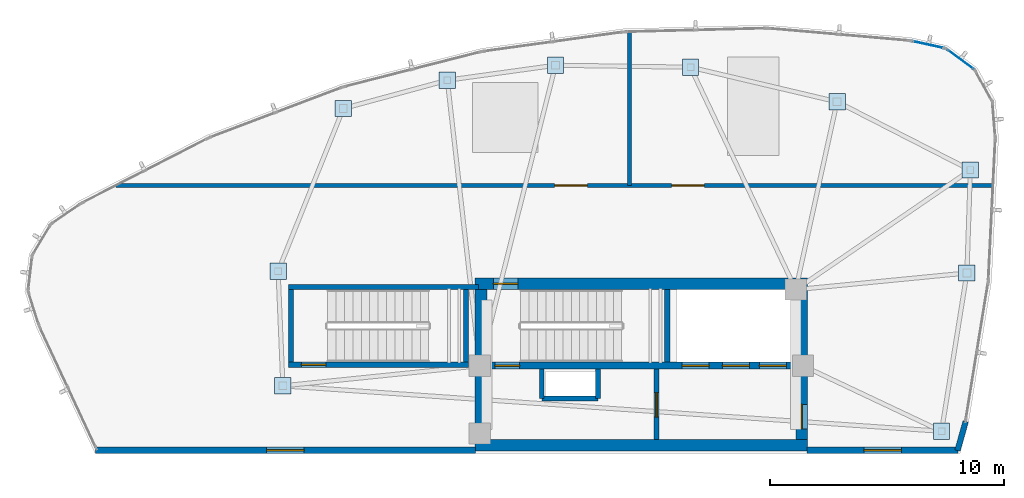
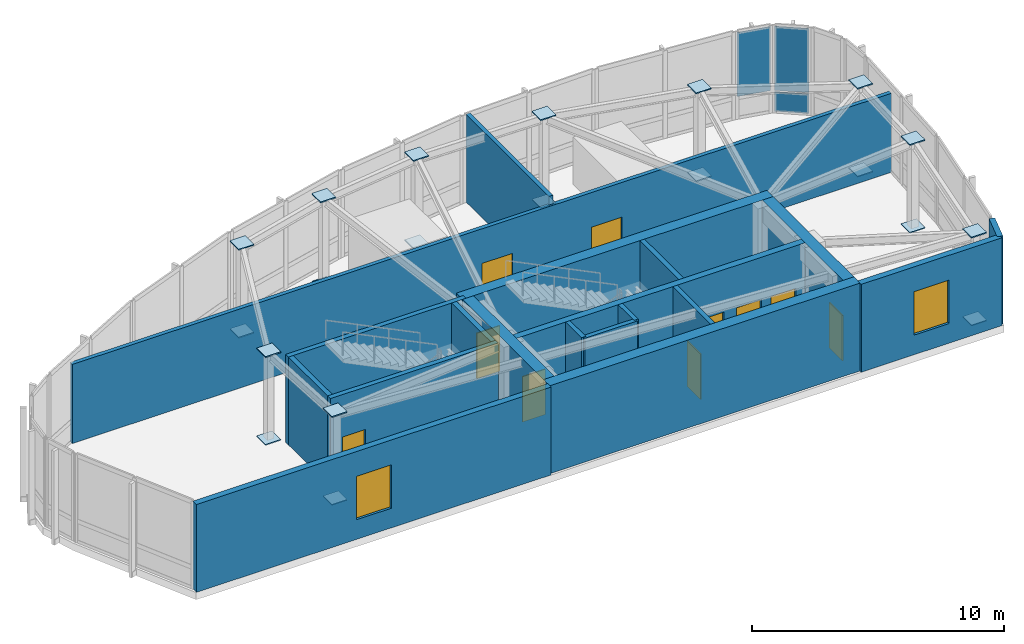
# One storey, part 6 of 10: 23 plates, 19 walls, 10 doors, 2 windows, 12 openings, 2 elements without a shape of their own.
"""IFC4 building model written with IfcOpenShell, lengths in metres."""

from ifc_helpers import new_model, si_unit, direction, frame, frame_2d, origin, origin_2d, place, context, subcontext, project, spatial, rectangle, extrude, source, transform, mapped, material, layer, layer_set, type_object, type_shapes, element, fill, aggregate, save


model = new_model("IFC4")

# Units and contexts
model_context = context("Model", 3, precision=1e-05, world=origin(), true_north=direction((0.0, 1.0)))
body_context = subcontext(model_context, "Body", "Model", "MODEL_VIEW")
ifc_project = project(units=[si_unit("LENGTHUNIT", "METRE"), si_unit("AREAUNIT", "SQUARE_METRE"), si_unit("VOLUMEUNIT", "CUBIC_METRE"), si_unit("PLANEANGLEUNIT", "RADIAN"), si_unit("MASSUNIT", "GRAM", prefix="KILO")], contexts=[model_context])

# Site, building, storey
site_placement = place(None, origin())
site = spatial("IfcSite", under=ifc_project, at=site_placement, CompositionType="ELEMENT")
building_placement = place(site_placement, origin())
building = spatial("IfcBuilding", under=site, at=building_placement, Name="Tavelor Broadcast Tower", CompositionType="ELEMENT")
storey_placement = place(building_placement, frame((0.0, 0.0, 350.5)))
storey = spatial("IfcBuildingStorey", under=building, at=storey_placement, Name="L83", CompositionType="ELEMENT", Elevation=350.5)

# Plates
ifc_material_1 = material(Name="Steel S460", Category="steel")
ifc_layer_1 = layer(ifc_material_1, 0.050048828125)
ifc_layer_set_1 = layer_set([ifc_layer_1], Name="Steel S460")
plate_type_1 = type_object("IfcPlateType", Name="Tube Hollow-End Cap Plate KN05 700x700x50", PredefinedType="USERDEFINED", material=ifc_layer_set_1)
shared_shape_1 = source(origin(), body_context, "Body", "SweptSolid", [
    extrude(rectangle(XDim=0.699951171875, YDim=0.699951171875, at=origin_2d()), origin(), (0.0, 0.0, 1.0), 0.054931640625),
])
type_shapes(plate_type_1, [shared_shape_1])
for number, where, z_axis, x_axis, name in (
    (1, (37.27294921875, 58.9375, -0.02734375), (0.0, 0.0, 1.0), (1.0, 0.0, 0.0), "L83 Hollow End Cap Plate KN05 #2523"),
    (2, (37.27294921875, 58.9375, 4.22265625), (0.0, 0.0, 1.0), (1.0, 0.0, 0.0), "L83 Hollow End Cap Plate KN05 #2524"),
    (3, (34.4853515625, 51.989013671875, -0.02734375), (0.0, 0.0, 1.0), (1.0, 0.0, 0.0), "L83 Hollow End Cap Plate KN05 #2525"),
    (4, (34.4853515625, 51.989013671875, 4.22265625), (0.0, 0.0, 1.0), (1.0, 0.0, 0.0), "L83 Hollow End Cap Plate KN05 #2526"),
    (5, (34.690673828125, 47.090087890625, -0.02734375), (0.0, 0.0, 1.0), (1.0, 0.0, 0.0), "L83 Hollow End Cap Plate KN05 #2527"),
    (6, (34.690673828125, 47.090087890625, 4.22265625), (0.0, 0.0, 1.0), (1.0, 0.0, 0.0), "L83 Hollow End Cap Plate KN05 #2528"),
    (7, (62.826416015625, 45.14990234375, -0.02734375), (0.0, 0.0, 1.0), (1.0, 0.0, 0.0), "L83 Hollow End Cap Plate KN05 #2529"),
    (8, (62.826416015625, 45.14990234375, 4.22265625), (0.0, 0.0, 1.0), (1.0, 0.0, 0.0), "L83 Hollow End Cap Plate KN05 #2530"),
    (9, (63.910888671875, 51.91064453125, -0.02734375), (0.0, 0.0, 1.0), (1.0, 0.0, 0.0), "L83 Hollow End Cap Plate KN05 #2531"),
    (10, (63.910888671875, 51.91064453125, 4.22265625), (0.0, 0.0, 1.0), (1.0, 0.0, 0.0), "L83 Hollow End Cap Plate KN05 #2532"),
    (11, (64.058349609375, 56.30859375, -0.02734375), (0.0, 0.0, 1.0), (1.0, 0.0, 0.0), "L83 Hollow End Cap Plate KN05 #2533"),
    (12, (64.058349609375, 56.30859375, 4.22265625), (0.0, 0.0, 1.0), (1.0, 0.0, 0.0), "L83 Hollow End Cap Plate KN05 #2534"),
    (13, (58.364013671875, 59.226318359375, -0.02734375), (0.0, 0.0, 1.0), (1.0, 0.0, 0.0), "L83 Hollow End Cap Plate KN05 #2535"),
    (14, (58.364013671875, 59.226318359375, 4.22265625), (0.0, 0.0, 1.0), (1.0, 0.0, 0.0), "L83 Hollow End Cap Plate KN05 #2536"),
    (15, (52.10400390625, 60.701416015625, -0.02734375), (0.0, 0.0, 1.0), (1.0, 0.0, 0.0), "L83 Hollow End Cap Plate KN05 #2537"),
    (16, (52.10400390625, 60.701416015625, 4.22265625), (0.0, 0.0, 1.0), (1.0, 0.0, 0.0), "L83 Hollow End Cap Plate KN05 #2538"),
    (17, (46.337158203125, 60.786865234375, -0.02734375), (0.0, 0.0, 1.0), (1.0, 0.0, 0.0), "L83 Hollow End Cap Plate KN05 #2539"),
    (18, (46.337158203125, 60.786865234375, 4.22265625), (0.0, 0.0, 1.0), (1.0, 0.0, 0.0), "L83 Hollow End Cap Plate KN05 #2540"),
    (19, (41.715087890625, 60.145751953125, -0.02734375), (0.0, 0.0, 1.0), (1.0, 0.0, 0.0), "L83 Hollow End Cap Plate KN05 #2541"),
    (20, (41.715087890625, 60.145751953125, 4.22265625), (0.0, 0.0, 1.0), (1.0, 0.0, 0.0), "L83 Hollow End Cap Plate KN05 #2542"),
):
    element("IfcPlate", number, at=place(storey_placement, frame(where, z_axis=z_axis, x_axis=x_axis)), inside=storey, type_object=plate_type_1, Name=name, ObjectType="CAP PLATE", PredefinedType="USERDEFINED", context=body_context, shape_type="MappedRepresentation", body=[
        mapped(shared_shape_1, transform((0.0, 0.0, 0.0), scale=1.0)),
    ])

# Curtain wall, plate
ifc_material_2 = material(Name="Architectural Anodized Aluminium", Category="aluminium")
ifc_layer_2 = layer(ifc_material_2, 0.2099609375)
ifc_layer_set_2 = layer_set([ifc_layer_2], Name="Architectural Anodized Aluminium")
curtain_wall_type = type_object("IfcCurtainWallType", Name="Split-Crown Beacon Curtain Wall CW06", PredefinedType="NOTDEFINED", material=ifc_layer_set_2)
curtain_wall_1_placement = place(storey_placement, origin())
curtain_wall_1 = element("IfcCurtainWall", 21, at=curtain_wall_1_placement, inside=storey, type_object=curtain_wall_type, Name="L83 Curtain Wall CW06 Run 977", PredefinedType="NOTDEFINED")
ifc_material_3 = material(Name="Dichroic Solar Laminated Glazing 34 mm", Category="glass")
ifc_layer_3 = layer(ifc_material_3, 0.033935546875)
ifc_layer_set_3 = layer_set([ifc_layer_3], Name="Dichroic Solar Laminated Glazing 34 mm")
plate_type_2 = type_object("IfcPlateType", Name="CW06 Insulated Vision Glazing Panel 34 mm", PredefinedType="CURTAIN_PANEL", material=ifc_layer_set_3)
shared_shape_2 = source(origin(), body_context, "Body", "SweptSolid", [
    extrude(rectangle(XDim=1.38720703125, YDim=0.033935546875, at=origin_2d()), origin(), (0.0, 0.0, 1.0), 3.092041015625),
])
plate_1_placement = place(storey_placement, frame((62.25732421875, 61.66455078125, 1.0859375), z_axis=(0.0, 0.0, 1.0), x_axis=(-0.97646899035, 0.215657856069, 0.0)))
plate_1 = element("IfcPlate", 22, at=plate_1_placement, type_object=plate_type_2, Name="CW06 panel 1.2", PredefinedType="CURTAIN_PANEL", context=body_context, shape_type="MappedRepresentation", body=[
    mapped(shared_shape_2, transform((0.0, 0.0, 0.0), scale=1.0)),
])
aggregate(curtain_wall_1, [plate_1])

# Curtain wall, plates
curtain_wall_2_placement = place(storey_placement, origin())
curtain_wall_2 = element("IfcCurtainWall", 23, at=curtain_wall_2_placement, inside=storey, type_object=curtain_wall_type, Name="L83 Curtain Wall CW06 Run 976", PredefinedType="NOTDEFINED")
shared_shape_3 = source(origin(), body_context, "Body", "SweptSolid", [
    extrude(rectangle(XDim=1.3662109375, YDim=0.033935546875, at=origin_2d()), origin(), (0.0, 0.0, 1.0), 0.94189453125),
])
plate_2_placement = place(storey_placement, frame((63.636474609375, 61.035400390625, 0.072021484375), z_axis=(0.0, 0.0, 1.0), x_axis=(-0.801261599102, 0.598314173161, 0.0)))
plate_2 = element("IfcPlate", 24, at=plate_2_placement, type_object=plate_type_2, Name="CW06 panel 1.1", PredefinedType="CURTAIN_PANEL", context=body_context, shape_type="MappedRepresentation", body=[
    mapped(shared_shape_3, transform((0.0, 0.0, 0.0), scale=1.0)),
])
shared_shape_4 = source(origin(), body_context, "Body", "SweptSolid", [
    extrude(rectangle(XDim=1.3662109375, YDim=0.033935546875, at=origin_2d()), origin(), (0.0, 0.0, 1.0), 3.092041015625),
])
type_shapes(plate_type_2, [shared_shape_2, shared_shape_3, shared_shape_4])
plate_3_placement = place(storey_placement, frame((63.636474609375, 61.035400390625, 1.0859375), z_axis=(0.0, 0.0, 1.0), x_axis=(-0.801261599102, 0.598314173161, 0.0)))
plate_3 = element("IfcPlate", 25, at=plate_3_placement, type_object=plate_type_2, Name="CW06 panel 1.2", PredefinedType="CURTAIN_PANEL", context=body_context, shape_type="MappedRepresentation", body=[
    mapped(shared_shape_4, transform((0.0, 0.0, 0.0), scale=1.0)),
])
aggregate(curtain_wall_2, [plate_2, plate_3])

# Wall, opening, door
ifc_material_4 = material(Name="Concrete C50/60", Category="concrete")
ifc_layer_4 = layer(ifc_material_4, 0.5)
ifc_layer_set_4 = layer_set([ifc_layer_4], Name="Concrete C50/60")
wall_type_1 = type_object("IfcWallType", Name="Core Shear Wall 500 mm", PredefinedType="SHEAR", material=ifc_layer_set_4)
wall_1_placement = place(storey_placement, frame((42.89990234375, 51.449951171875, 0.0), z_axis=(0.0, 0.0, 1.0), x_axis=(1.0, 0.0, 0.0)))
wall_1 = element("IfcWall", 26, at=wall_1_placement, inside=storey, type_object=wall_type_1, Name="L83 Central Core Shear Wall N", PredefinedType="SHEAR", context=body_context, shape_type="SweptSolid", body=[
    extrude(rectangle(XDim=14.2001953125, YDim=0.5, at=frame_2d((7.10009765625, 0.0))), origin(), (0.0, 0.0, 1.0), 4.25),
])
opening_1_placement = place(wall_1_placement, frame((0.780029296875, 0.0, 0.0)))
opening_1 = element("IfcOpeningElement", 27, at=opening_1_placement, cuts=wall_1, Name="Opening DR11", PredefinedType="OPENING", context=body_context, shape_type="SweptSolid", body=[
    extrude(rectangle(XDim=1.050048828125, YDim=2.199951171875, at=frame_2d((0.52490234375, 1.10009765625))), frame((0.0, 0.260009765625, 0.0), z_axis=(0.0, -1.0, 0.0), x_axis=(1.0, 0.0, 0.0)), (0.0, 0.0, 1.0), 0.52001953125),
])
ifc_material_5 = material(Name="Steel S355", Category="steel")
door_type_1 = type_object("IfcDoorType", Name="Stair Core Fire Escape Door 1050x2200", OperationType="NOTDEFINED", PredefinedType="DOOR", material=ifc_material_5)
door_1_placement = place(opening_1_placement, origin())
door_1 = element("IfcDoor", 28, at=door_1_placement, inside=storey, type_object=door_type_1, Name="L83 Stair ST1 Protected Exit Door", OperationType="SINGLE_SWING_LEFT", OverallHeight=2.199951171875, OverallWidth=1.050048828125, PredefinedType="DOOR", context=body_context, shape_type="SweptSolid", body=[
    extrude(rectangle(XDim=1.050048828125, YDim=2.199951171875, at=frame_2d((0.52490234375, 1.10009765625))), frame((0.0, 0.02490234375, 0.0), z_axis=(0.0, -1.0, 0.0), x_axis=(1.0, 0.0, 0.0)), (0.0, 0.0, 1.0), 0.050048828125),
])
fill(opening_1, door_1)

# Walls
wall_2_placement = place(storey_placement, frame((42.89990234375, 44.550048828125, 0.0), z_axis=(0.0, 0.0, 1.0), x_axis=(1.0, 0.0, 0.0)))
element("IfcWall", 29, at=wall_2_placement, inside=storey, type_object=wall_type_1, Name="L83 Central Core Shear Wall S", PredefinedType="SHEAR", context=body_context, shape_type="SweptSolid", body=[
    extrude(rectangle(XDim=14.2001953125, YDim=0.5, at=frame_2d((7.10009765625, 0.0))), origin(), (0.0, 0.0, 1.0), 4.25),
])
wall_3_placement = place(storey_placement, frame((43.14990234375, 44.800048828125, 0.0), z_axis=(0.0, 0.0, 1.0), x_axis=(0.0, 1.0, 0.0)))
element("IfcWall", 30, at=wall_3_placement, inside=storey, type_object=wall_type_1, Name="L83 Central Core Shear Wall W", PredefinedType="SHEAR", context=body_context, shape_type="SweptSolid", body=[
    extrude(rectangle(XDim=6.39990234375, YDim=0.5, at=frame_2d((3.199951171875, 0.0))), origin(), (0.0, 0.0, 1.0), 4.25),
])

# Wall, opening, door
wall_4_placement = place(storey_placement, frame((56.85009765625, 44.800048828125, 0.0), z_axis=(0.0, 0.0, 1.0), x_axis=(0.0, 1.0, 0.0)))
wall_4 = element("IfcWall", 31, at=wall_4_placement, inside=storey, type_object=wall_type_1, Name="L83 Central Core Shear Wall E", PredefinedType="SHEAR", context=body_context, shape_type="SweptSolid", body=[
    extrude(rectangle(XDim=6.39990234375, YDim=0.5, at=frame_2d((3.199951171875, 0.0))), origin(), (0.0, 0.0, 1.0), 4.25),
])
opening_2_placement = place(wall_4_placement, frame((0.449951171875, 0.0, 0.0)))
opening_2 = element("IfcOpeningElement", 32, at=opening_2_placement, cuts=wall_4, Name="Opening DR11", PredefinedType="OPENING", context=body_context, shape_type="SweptSolid", body=[
    extrude(rectangle(XDim=1.050048828125, YDim=2.199951171875, at=frame_2d((0.52490234375, 1.10009765625))), frame((0.0, 0.260009765625, 0.0), z_axis=(0.0, -1.0, 0.0), x_axis=(1.0, 0.0, 0.0)), (0.0, 0.0, 1.0), 0.52001953125),
])
door_2_placement = place(opening_2_placement, origin())
door_2 = element("IfcDoor", 33, at=door_2_placement, inside=storey, type_object=door_type_1, Name="L83 Crown Core East Lobby Door", OperationType="SINGLE_SWING_LEFT", OverallHeight=2.199951171875, OverallWidth=1.050048828125, PredefinedType="DOOR", context=body_context, shape_type="SweptSolid", body=[
    extrude(rectangle(XDim=1.050048828125, YDim=2.199951171875, at=frame_2d((0.52490234375, 1.10009765625))), frame((0.0, 0.02490234375, 0.0), z_axis=(0.0, -1.0, 0.0), x_axis=(1.0, 0.0, 0.0)), (0.0, 0.0, 1.0), 0.050048828125),
])
fill(opening_2, door_2)

# Wall, openings, doors
ifc_layer_5 = layer(ifc_material_4, 0.300048828125)
ifc_layer_set_5 = layer_set([ifc_layer_5], Name="Concrete C50/60")
wall_type_2 = type_object("IfcWallType", Name="Core Spine Shear Wall 300 mm C50", PredefinedType="SHEAR", material=ifc_layer_set_5)
wall_5_placement = place(storey_placement, frame((43.39990234375, 47.949951171875, 0.0), z_axis=(0.0, 0.0, 1.0), x_axis=(1.0, 0.0, 0.0)))
wall_5 = element("IfcWall", 34, at=wall_5_placement, inside=storey, type_object=wall_type_2, Name="L83 Central Core Shear Wall SP1", PredefinedType="SHEAR", context=body_context, shape_type="SweptSolid", body=[
    extrude(rectangle(XDim=13.2001953125, YDim=0.300048828125, at=frame_2d((6.60009765625, 0.0))), origin(), (0.0, 0.0, 1.0), 4.25),
])
opening_3_placement = place(wall_5_placement, frame((0.35009765625, 0.0, 0.0)))
opening_3 = element("IfcOpeningElement", 35, at=opening_3_placement, cuts=wall_5, Name="Opening DR11", PredefinedType="OPENING", context=body_context, shape_type="SweptSolid", body=[
    extrude(rectangle(XDim=1.050048828125, YDim=2.199951171875, at=frame_2d((0.52490234375, 1.10009765625))), frame((0.0, 0.16015625, 0.0), z_axis=(0.0, -1.0, 0.0), x_axis=(1.0, 0.0, 0.0)), (0.0, 0.0, 1.0), 0.320068359375),
])
opening_4_placement = place(wall_5_placement, frame((8.344970703125, 0.0, 0.0)))
opening_4 = element("IfcOpeningElement", 36, at=opening_4_placement, cuts=wall_5, Name="Opening LD02", PredefinedType="OPENING", context=body_context, shape_type="SweptSolid", body=[
    extrude(rectangle(XDim=1.14990234375, YDim=2.199951171875, at=frame_2d((0.574951171875, 1.10009765625))), frame((0.0, 0.16015625, 0.0), z_axis=(0.0, -1.0, 0.0), x_axis=(1.0, 0.0, 0.0)), (0.0, 0.0, 1.0), 0.320068359375),
])
opening_5_placement = place(wall_5_placement, frame((10.06494140625, 0.0, 0.0)))
opening_5 = element("IfcOpeningElement", 37, at=opening_5_placement, cuts=wall_5, Name="Opening LD02", PredefinedType="OPENING", context=body_context, shape_type="SweptSolid", body=[
    extrude(rectangle(XDim=1.14990234375, YDim=2.199951171875, at=frame_2d((0.574951171875, 1.10009765625))), frame((0.0, 0.16015625, 0.0), z_axis=(0.0, -1.0, 0.0), x_axis=(1.0, 0.0, 0.0)), (0.0, 0.0, 1.0), 0.320068359375),
])
opening_6_placement = place(wall_5_placement, frame((11.64501953125, 0.0, 0.0)))
opening_6 = element("IfcOpeningElement", 38, at=opening_6_placement, cuts=wall_5, Name="Opening LD03", PredefinedType="OPENING", context=body_context, shape_type="SweptSolid", body=[
    extrude(rectangle(XDim=1.14990234375, YDim=2.199951171875, at=frame_2d((0.574951171875, 1.10009765625))), frame((0.0, 0.16015625, 0.0), z_axis=(0.0, -1.0, 0.0), x_axis=(1.0, 0.0, 0.0)), (0.0, 0.0, 1.0), 0.320068359375),
])
ifc_material_6 = material(Name="Reinforced Brushed Stainless Steel", Category="concrete")
door_type_2 = type_object("IfcDoorType", Name="Broadcast Goods Lift Sliding Landing Door 1250x2200", OperationType="NOTDEFINED", PredefinedType="DOOR", material=ifc_material_6)
door_3_placement = place(opening_6_placement, origin())
door_3 = element("IfcDoor", 39, at=door_3_placement, inside=storey, type_object=door_type_2, Name="L83 Lift SVL1 Sliding Landing Door", OperationType="SLIDING_TO_LEFT", OverallHeight=2.199951171875, OverallWidth=1.14990234375, PredefinedType="DOOR", context=body_context, shape_type="SweptSolid", body=[
    extrude(rectangle(XDim=1.14990234375, YDim=2.199951171875, at=frame_2d((0.574951171875, 1.10009765625))), frame((0.0, 0.02490234375, 0.0), z_axis=(0.0, -1.0, 0.0), x_axis=(1.0, 0.0, 0.0)), (0.0, 0.0, 1.0), 0.050048828125),
])
fill(opening_6, door_3)
ifc_material_7 = material(Name="Fire-Rated Stainless Steel", Category="steel")
door_type_3 = type_object("IfcDoorType", Name="Firefighting Lift Sliding Landing Door 1200x2200", OperationType="NOTDEFINED", PredefinedType="DOOR", material=ifc_material_7)
door_4_placement = place(opening_4_placement, origin())
door_4 = element("IfcDoor", 40, at=door_4_placement, inside=storey, type_object=door_type_3, Name="L83 Lift FFL1 Sliding Landing Door", OperationType="SLIDING_TO_LEFT", OverallHeight=2.199951171875, OverallWidth=1.14990234375, PredefinedType="DOOR", context=body_context, shape_type="SweptSolid", body=[
    extrude(rectangle(XDim=1.14990234375, YDim=2.199951171875, at=frame_2d((0.574951171875, 1.10009765625))), frame((0.0, 0.02490234375, 0.0), z_axis=(0.0, -1.0, 0.0), x_axis=(1.0, 0.0, 0.0)), (0.0, 0.0, 1.0), 0.050048828125),
])
fill(opening_4, door_4)
door_5_placement = place(opening_5_placement, origin())
door_5 = element("IfcDoor", 41, at=door_5_placement, inside=storey, type_object=door_type_3, Name="L83 Lift FFL2 Sliding Landing Door", OperationType="SLIDING_TO_LEFT", OverallHeight=2.199951171875, OverallWidth=1.14990234375, PredefinedType="DOOR", context=body_context, shape_type="SweptSolid", body=[
    extrude(rectangle(XDim=1.14990234375, YDim=2.199951171875, at=frame_2d((0.574951171875, 1.10009765625))), frame((0.0, 0.02490234375, 0.0), z_axis=(0.0, -1.0, 0.0), x_axis=(1.0, 0.0, 0.0)), (0.0, 0.0, 1.0), 0.050048828125),
])
fill(opening_5, door_5)
door_6_placement = place(opening_3_placement, origin())
door_6 = element("IfcDoor", 42, at=door_6_placement, inside=storey, type_object=door_type_1, Name="L83 Crown Core Stair ST1 Door", OperationType="SINGLE_SWING_LEFT", OverallHeight=2.199951171875, OverallWidth=1.050048828125, PredefinedType="DOOR", context=body_context, shape_type="SweptSolid", body=[
    extrude(rectangle(XDim=1.050048828125, YDim=2.199951171875, at=frame_2d((0.52490234375, 1.10009765625))), frame((0.0, 0.02490234375, 0.0), z_axis=(0.0, -1.0, 0.0), x_axis=(1.0, 0.0, 0.0)), (0.0, 0.0, 1.0), 0.050048828125),
])
fill(opening_3, door_6)

# Wall
ifc_material_8 = material(Name="Calcium Silicate Fire Board 180 mm", Category="gypsum")
ifc_layer_6 = layer(ifc_material_8, 0.179931640625)
ifc_layer_set_6 = layer_set([ifc_layer_6], Name="Calcium Silicate Fire Board 180 mm")
wall_type_3 = type_object("IfcWallType", Name="Fire-Rated Corridor Partition Wall 180 mm", PredefinedType="PARTITIONING", material=ifc_layer_set_6)
wall_6_placement = place(storey_placement, frame((49.5, 55.64990234375, 0.0), z_axis=(0.0, 0.0, 1.0), x_axis=(0.0, 1.0, 0.0)))
element("IfcWall", 43, at=wall_6_placement, inside=storey, type_object=wall_type_3, Name="L83 Crown Peak A Plant Divider", PredefinedType="PARTITIONING", context=body_context, shape_type="SweptSolid", body=[
    extrude(rectangle(XDim=6.565673828125, YDim=0.179931640625, at=frame_2d((3.28271484375, 0.0))), origin(), (0.0, 0.0, 1.0), 4.25),
])

# Wall, openings, doors
wall_7_placement = place(storey_placement, frame((27.560546875, 55.64990234375, 0.0), z_axis=(0.0, 0.0, 1.0), x_axis=(1.0, 0.0, 0.0)))
wall_7 = element("IfcWall", 44, at=wall_7_placement, inside=storey, type_object=wall_type_3, Name="L83 Peak A Plant Corridor Wall", PredefinedType="PARTITIONING", context=body_context, shape_type="SweptSolid", body=[
    extrude(rectangle(XDim=37.465576171875, YDim=0.179931640625, at=frame_2d((18.73291015625, 0.0))), origin(), (0.0, 0.0, 1.0), 3.824951171875),
])
opening_7_placement = place(wall_7_placement, frame((18.739501953125, 0.0, 0.0)))
opening_7 = element("IfcOpeningElement", 45, at=opening_7_placement, cuts=wall_7, Name="Opening DR41", PredefinedType="OPENING", context=body_context, shape_type="SweptSolid", body=[
    extrude(rectangle(XDim=1.39990234375, YDim=2.14990234375, at=frame_2d((0.699951171875, 1.074951171875))), frame((0.0, 0.10009765625, 0.0), z_axis=(0.0, -1.0, 0.0), x_axis=(1.0, 0.0, 0.0)), (0.0, 0.0, 1.0), 0.199951171875),
])
opening_8_placement = place(wall_7_placement, frame((23.739501953125, 0.0, 0.0)))
opening_8 = element("IfcOpeningElement", 46, at=opening_8_placement, cuts=wall_7, Name="Opening DR41", PredefinedType="OPENING", context=body_context, shape_type="SweptSolid", body=[
    extrude(rectangle(XDim=1.39990234375, YDim=2.14990234375, at=frame_2d((0.699951171875, 1.074951171875))), frame((0.0, 0.10009765625, 0.0), z_axis=(0.0, -1.0, 0.0), x_axis=(1.0, 0.0, 0.0)), (0.0, 0.0, 1.0), 0.199951171875),
])
door_type_4 = type_object("IfcDoorType", Name="Plant Room Double Fire Door 1400x2150", OperationType="NOTDEFINED", PredefinedType="DOOR", material=ifc_material_5)
door_7_placement = place(opening_7_placement, origin())
door_7 = element("IfcDoor", 47, at=door_7_placement, inside=storey, type_object=door_type_4, Name="L83 Broadcast Chiller Plant Door", OperationType="SINGLE_SWING_RIGHT", OverallHeight=2.14990234375, OverallWidth=1.39990234375, PredefinedType="DOOR", context=body_context, shape_type="SweptSolid", body=[
    extrude(rectangle(XDim=1.39990234375, YDim=2.14990234375, at=frame_2d((0.699951171875, 1.074951171875))), frame((0.0, 0.02490234375, 0.0), z_axis=(0.0, -1.0, 0.0), x_axis=(1.0, 0.0, 0.0)), (0.0, 0.0, 1.0), 0.050048828125),
])
fill(opening_7, door_7)
door_8_placement = place(opening_8_placement, origin())
door_8 = element("IfcDoor", 48, at=door_8_placement, inside=storey, type_object=door_type_4, Name="L83 Emergency Switchgear and AHU Plant Door", OperationType="SINGLE_SWING_LEFT", OverallHeight=2.14990234375, OverallWidth=1.39990234375, PredefinedType="DOOR", context=body_context, shape_type="SweptSolid", body=[
    extrude(rectangle(XDim=1.39990234375, YDim=2.14990234375, at=frame_2d((0.699951171875, 1.074951171875))), frame((0.0, 0.02490234375, 0.0), z_axis=(0.0, -1.0, 0.0), x_axis=(1.0, 0.0, 0.0)), (0.0, 0.0, 1.0), 0.050048828125),
])
fill(opening_8, door_8)

# Wall, opening, window
ifc_material_9 = material(Name="Precast Concrete C40/50", Category="concrete")
ifc_layer_7 = layer(ifc_material_9, 0.280029296875)
ifc_layer_set_7 = layer_set([ifc_layer_7], Name="Precast Concrete C40/50")
wall_type_4 = type_object("IfcWallType", Name="Insulated Precast Terracotta Facade Wall 280 mm", PredefinedType="STANDARD", material=ifc_layer_set_7)
wall_8_placement = place(storey_placement, frame((26.68212890625, 44.340087890625, 0.0), z_axis=(0.0, 0.0, 1.0), x_axis=(1.0, 0.0, 0.0)))
wall_8 = element("IfcWall", 49, at=wall_8_placement, inside=storey, type_object=wall_type_4, Name="L83 Crown Peak A Sky-Slot Wall 01.1", PredefinedType="STANDARD", context=body_context, shape_type="SweptSolid", body=[
    extrude(rectangle(XDim=16.227783203125, YDim=0.280029296875, at=frame_2d((8.11376953125, 0.0))), origin(), (0.0, 0.0, 1.0), 4.25),
])
opening_9_placement = place(wall_8_placement, frame((7.31396484375, 0.0, 0.949951171875)))
opening_9 = element("IfcOpeningElement", 50, at=opening_9_placement, cuts=wall_8, Name="Opening WN29", PredefinedType="OPENING", context=body_context, shape_type="SweptSolid", body=[
    extrude(rectangle(XDim=1.60009765625, YDim=2.10009765625, at=frame_2d((0.800048828125, 1.050048828125))), frame((0.0, 0.14990234375, 0.0), z_axis=(0.0, -1.0, 0.0), x_axis=(1.0, 0.0, 0.0)), (0.0, 0.0, 1.0), 0.300048828125),
])
ifc_material_10 = material(Name="Acoustic Double Glazing 28 mm", Category="glass")
window_type = type_object("IfcWindowType", Name="Crown Beacon Observation Window 1600x2100", PartitioningType="SINGLE_PANEL", PredefinedType="WINDOW", material=ifc_material_10)
window_1_placement = place(opening_9_placement, origin())
window_1 = element("IfcWindow", 51, at=window_1_placement, inside=storey, type_object=window_type, Name="L83 Crown Sky-Slot Observation Window A01.1", OverallHeight=2.10009765625, OverallWidth=1.60009765625, PartitioningType="SINGLE_PANEL", PredefinedType="WINDOW", context=body_context, shape_type="SweptSolid", body=[
    extrude(rectangle(XDim=1.60009765625, YDim=2.10009765625, at=frame_2d((0.800048828125, 1.050048828125))), frame((0.0, 0.030029296875, 0.0), z_axis=(0.0, -1.0, 0.0), x_axis=(1.0, 0.0, 0.0)), (0.0, 0.0, 1.0), 0.06005859375),
])
fill(opening_9, window_1)

wall_9_placement = place(storey_placement, frame((57.090087890625, 44.340087890625, 0.0), z_axis=(0.0, 0.0, 1.0), x_axis=(1.0, 0.0, 0.0)))
wall_9 = element("IfcWall", 52, at=wall_9_placement, inside=storey, type_object=wall_type_4, Name="L83 Crown Peak A Sky-Slot Wall 01.2", PredefinedType="STANDARD", context=body_context, shape_type="SweptSolid", body=[
    extrude(rectangle(XDim=6.438232421875, YDim=0.280029296875, at=frame_2d((3.21923828125, 0.0))), origin(), (0.0, 0.0, 1.0), 4.25),
])
opening_10_placement = place(wall_9_placement, frame((2.419189453125, 0.0, 0.949951171875)))
opening_10 = element("IfcOpeningElement", 53, at=opening_10_placement, cuts=wall_9, Name="Opening WN29", PredefinedType="OPENING", context=body_context, shape_type="SweptSolid", body=[
    extrude(rectangle(XDim=1.60009765625, YDim=2.10009765625, at=frame_2d((0.800048828125, 1.050048828125))), frame((0.0, 0.14990234375, 0.0), z_axis=(0.0, -1.0, 0.0), x_axis=(1.0, 0.0, 0.0)), (0.0, 0.0, 1.0), 0.300048828125),
])
window_2_placement = place(opening_10_placement, origin())
window_2 = element("IfcWindow", 54, at=window_2_placement, inside=storey, type_object=window_type, Name="L83 Crown Sky-Slot Observation Window A01.2", OverallHeight=2.10009765625, OverallWidth=1.60009765625, PartitioningType="SINGLE_PANEL", PredefinedType="WINDOW", context=body_context, shape_type="SweptSolid", body=[
    extrude(rectangle(XDim=1.60009765625, YDim=2.10009765625, at=frame_2d((0.800048828125, 1.050048828125))), frame((0.0, 0.030029296875, 0.0), z_axis=(0.0, -1.0, 0.0), x_axis=(1.0, 0.0, 0.0)), (0.0, 0.0, 1.0), 0.06005859375),
])
fill(opening_10, window_2)

# Walls
ifc_material_11 = material(Name="Concrete Blockwork 200 mm", Category="masonry")
ifc_layer_8 = layer(ifc_material_11, 0.199951171875)
ifc_layer_set_8 = layer_set([ifc_layer_8], Name="Concrete Blockwork 200 mm")
wall_type_5 = type_object("IfcWallType", Name="Lift and Riser Shaft Enclosure Wall 200 mm", PredefinedType="PARTITIONING", material=ifc_layer_set_8)
wall_10_placement = place(storey_placement, frame((45.75, 46.550048828125, 0.0), z_axis=(0.0, 0.0, 1.0), x_axis=(1.0, 0.0, 0.0)))
element("IfcWall", 55, at=wall_10_placement, inside=storey, type_object=wall_type_5, Name="L83 Riser Shaft South Wall", PredefinedType="PARTITIONING", context=body_context, shape_type="SweptSolid", body=[
    extrude(rectangle(XDim=2.39990234375, YDim=0.199951171875, at=frame_2d((1.199951171875, 0.0))), origin(), (0.0, 0.0, 1.0), 4.25),
])
for number, where, z_axis, x_axis, name in (
    (56, (48.14990234375, 46.550048828125, 0.0), (0.0, 0.0, 1.0), (0.0, 1.0, 0.0), "L83 Riser Shaft East Wall"),
    (57, (45.75, 46.550048828125, 0.0), (0.0, 0.0, 1.0), (0.0, 1.0, 0.0), "L83 Riser Shaft West Wall"),
):
    element("IfcWall", number, at=place(storey_placement, frame(where, z_axis=z_axis, x_axis=x_axis)), inside=storey, type_object=wall_type_5, Name=name, PredefinedType="PARTITIONING", context=body_context, shape_type="SweptSolid", body=[
        extrude(rectangle(XDim=1.25, YDim=0.199951171875, at=frame_2d((0.625, 0.0))), origin(), (0.0, 0.0, 1.0), 4.25),
    ])

# Wall, opening, door
wall_11_placement = place(storey_placement, frame((50.64990234375, 44.800048828125, 0.0), z_axis=(0.0, 0.0, 1.0), x_axis=(0.0, 1.0, 0.0)))
wall_11 = element("IfcWall", 58, at=wall_11_placement, inside=storey, type_object=wall_type_5, Name="L83 Firefighting Lobby West Wall", PredefinedType="PARTITIONING", context=body_context, shape_type="SweptSolid", body=[
    extrude(rectangle(XDim=3.0, YDim=0.199951171875, at=frame_2d((1.5, 0.0))), origin(), (0.0, 0.0, 1.0), 4.25),
])
opening_11_placement = place(wall_11_placement, frame((0.949951171875, 0.0, 0.0)))
opening_11 = element("IfcOpeningElement", 59, at=opening_11_placement, cuts=wall_11, Name="Opening DR11", PredefinedType="OPENING", context=body_context, shape_type="SweptSolid", body=[
    extrude(rectangle(XDim=1.050048828125, YDim=2.199951171875, at=frame_2d((0.52490234375, 1.10009765625))), frame((0.0, 0.10986328125, 0.0), z_axis=(0.0, -1.0, 0.0), x_axis=(1.0, 0.0, 0.0)), (0.0, 0.0, 1.0), 0.219970703125),
])
door_9_placement = place(opening_11_placement, origin())
door_9 = element("IfcDoor", 60, at=door_9_placement, inside=storey, type_object=door_type_1, Name="L83 Firefighting Lobby Compartment Door", OperationType="SINGLE_SWING_LEFT", OverallHeight=2.199951171875, OverallWidth=1.050048828125, PredefinedType="DOOR", context=body_context, shape_type="SweptSolid", body=[
    extrude(rectangle(XDim=1.050048828125, YDim=2.199951171875, at=frame_2d((0.52490234375, 1.10009765625))), frame((0.0, 0.02490234375, 0.0), z_axis=(0.0, -1.0, 0.0), x_axis=(1.0, 0.0, 0.0)), (0.0, 0.0, 1.0), 0.050048828125),
])
fill(opening_11, door_9)

# Walls
ifc_layer_9 = layer(ifc_material_9, 0.239990234375)
ifc_layer_set_9 = layer_set([ifc_layer_9], Name="Precast Concrete C40/50")
wall_type_6 = type_object("IfcWallType", Name="Roof and Terrace Perimeter Parapet Wall 240 mm", PredefinedType="PARAPET", material=ifc_layer_set_9)
wall_12_placement = place(storey_placement, frame((63.509033203125, 44.32568359375, 0.0), z_axis=(0.0, 0.0, 1.0), x_axis=(0.270477543479, 0.962726284296, 0.0)))
element("IfcWall", 61, at=wall_12_placement, inside=storey, type_object=wall_type_6, Name="L83 Crown Peak A Rounded Apex Pier 02", PredefinedType="PARAPET", context=body_context, shape_type="SweptSolid", body=[
    extrude(rectangle(XDim=1.29248046875, YDim=0.239990234375, at=frame_2d((0.646240234375, 0.0))), origin(), (0.0, 0.0, 1.0), 4.25),
])
ifc_material_12 = material(Name="Concrete C40/50", Category="concrete")
ifc_layer_10 = layer(ifc_material_12, 0.219970703125)
ifc_layer_set_10 = layer_set([ifc_layer_10], Name="Concrete C40/50")
wall_type_7 = type_object("IfcWallType", Name="Structural Stairwell Shear Wall 220 mm", PredefinedType="SHEAR", material=ifc_layer_set_10)
wall_13_placement = place(storey_placement, frame((51.110107421875, 48.10009765625, 0.0), z_axis=(0.0, 0.0, 1.0), x_axis=(0.0, 1.0, 0.0)))
element("IfcWall", 62, at=wall_13_placement, inside=storey, type_object=wall_type_7, Name="L83 Stair ST1 Structural Shaft Wall", PredefinedType="SHEAR", context=body_context, shape_type="SweptSolid", body=[
    extrude(rectangle(XDim=3.099853515625, YDim=0.219970703125, at=frame_2d((1.5498046875, 0.0))), origin(), (0.0, 0.0, 1.0), 4.25),
])

# Wall, opening, door
wall_14_placement = place(storey_placement, frame((34.929931640625, 47.989990234375, 0.0), z_axis=(0.0, 0.0, 1.0), x_axis=(1.0, 0.0, 0.0)))
wall_14 = element("IfcWall", 63, at=wall_14_placement, inside=storey, type_object=wall_type_7, Name="L83 Stair ST5 Structural Shaft Wall S", PredefinedType="SHEAR", context=body_context, shape_type="SweptSolid", body=[
    extrude(rectangle(XDim=7.690185546875, YDim=0.219970703125, at=frame_2d((3.84521484375, 0.0))), origin(), (0.0, 0.0, 1.0), 4.25),
])
opening_12_placement = place(wall_14_placement, frame((0.550048828125, 0.0, 0.0)))
opening_12 = element("IfcOpeningElement", 64, at=opening_12_placement, cuts=wall_14, Name="Opening DR11", PredefinedType="OPENING", context=body_context, shape_type="SweptSolid", body=[
    extrude(rectangle(XDim=1.050048828125, YDim=2.199951171875, at=frame_2d((0.52490234375, 1.10009765625))), frame((0.0, 0.1201171875, 0.0), z_axis=(0.0, -1.0, 0.0), x_axis=(1.0, 0.0, 0.0)), (0.0, 0.0, 1.0), 0.239990234375),
])
door_10_placement = place(opening_12_placement, origin())
door_10 = element("IfcDoor", 65, at=door_10_placement, inside=storey, type_object=door_type_1, Name="L83 Stair ST5 Protected Fire Door", OperationType="SINGLE_SWING_RIGHT", OverallHeight=2.199951171875, OverallWidth=1.050048828125, PredefinedType="DOOR", context=body_context, shape_type="SweptSolid", body=[
    extrude(rectangle(XDim=1.050048828125, YDim=2.199951171875, at=frame_2d((0.52490234375, 1.10009765625))), frame((0.0, 0.02490234375, 0.0), z_axis=(0.0, -1.0, 0.0), x_axis=(1.0, 0.0, 0.0)), (0.0, 0.0, 1.0), 0.050048828125),
])
fill(opening_12, door_10)

# Walls
wall_15_placement = place(storey_placement, frame((34.929931640625, 51.31005859375, 0.0), z_axis=(0.0, 0.0, 1.0), x_axis=(1.0, 0.0, 0.0)))
element("IfcWall", 66, at=wall_15_placement, inside=storey, type_object=wall_type_7, Name="L83 Stair ST5 Structural Shaft Wall N", PredefinedType="SHEAR", context=body_context, shape_type="SweptSolid", body=[
    extrude(rectangle(XDim=8.1201171875, YDim=0.219970703125, at=frame_2d((4.06005859375, 0.0))), origin(), (0.0, 0.0, 1.0), 4.25),
])
for number, where, z_axis, x_axis, name in (
    (67, (42.510009765625, 48.10009765625, 0.0), (0.0, 0.0, 1.0), (0.0, 1.0, 0.0), "L83 Stair ST5 Structural Shaft Wall E"),
    (68, (35.0400390625, 48.10009765625, 0.0), (0.0, 0.0, 1.0), (0.0, 1.0, 0.0), "L83 Stair ST5 Structural Shaft Wall W"),
):
    element("IfcWall", number, at=place(storey_placement, frame(where, z_axis=z_axis, x_axis=x_axis)), inside=storey, type_object=wall_type_7, Name=name, PredefinedType="SHEAR", context=body_context, shape_type="SweptSolid", body=[
        extrude(rectangle(XDim=3.099853515625, YDim=0.219970703125, at=frame_2d((1.5498046875, 0.0))), origin(), (0.0, 0.0, 1.0), 4.25),
    ])

save(model, "model.ifc")
